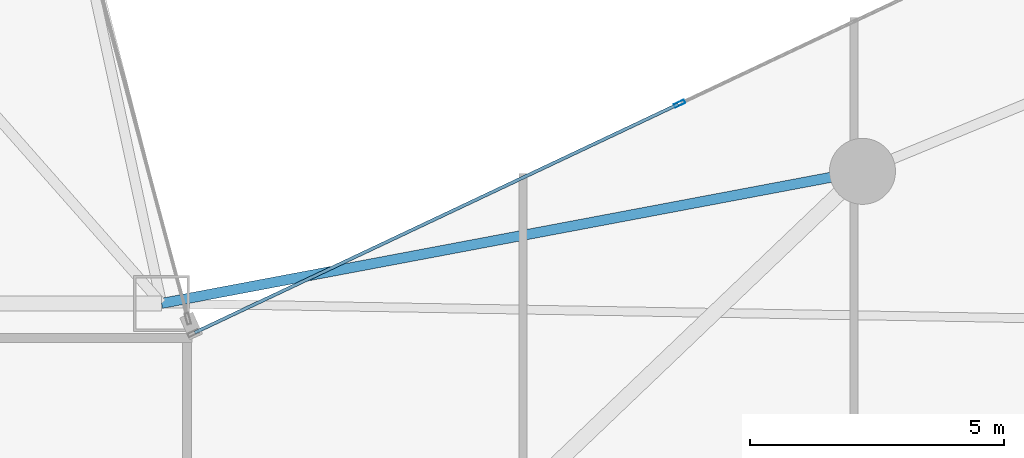
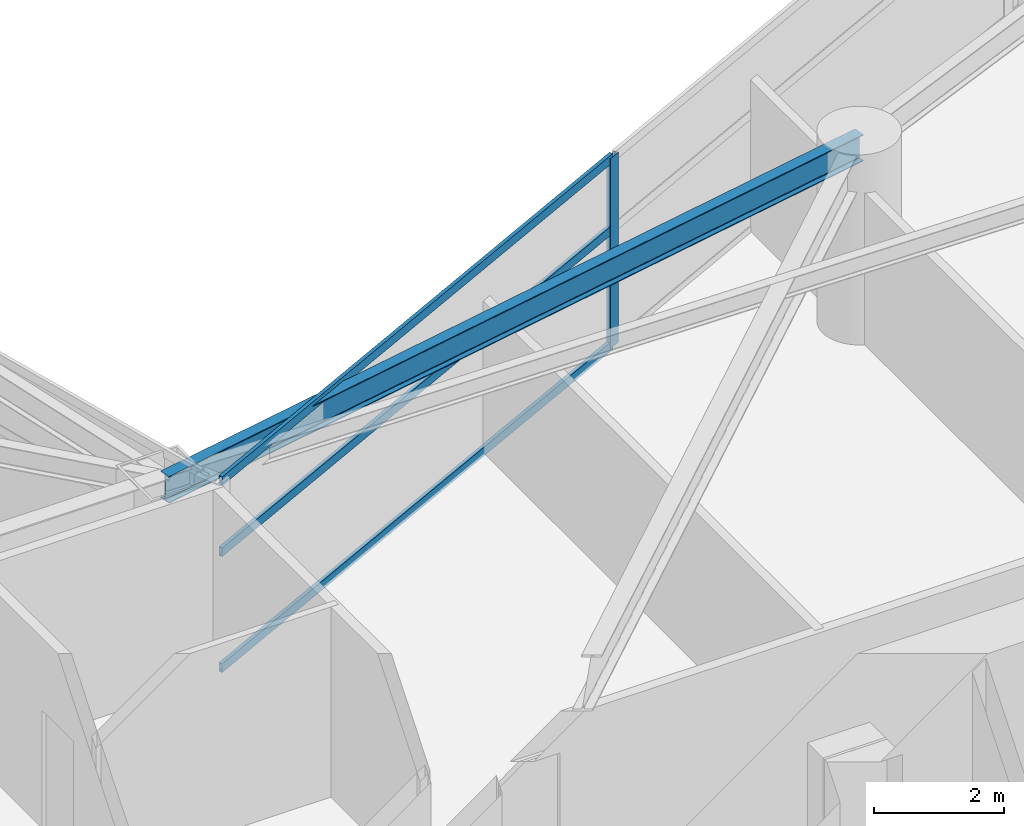
# One storey, part 11 of 30: 4 members, 1 beam, 1 element without a shape of its own.
"""IFC4 building model written with IfcOpenShell, lengths in metres."""

import ifcopenshell
import ifcopenshell.guid

model = None  # the IFC model being written
_history = None  # IfcOwnerHistory: only IFC2X3 demands one
_inside = {}  # id of a spatial element -> (the spatial element, [elements in it])
_under = {}  # id of a project, library or spatial element -> (it, [spatial elements below it])
_declared = {}  # id of a project -> (the project, [libraries it declares])
_typed = {}  # id of a type object -> (the type object, [elements of that type])
_made_of = {}  # id of a material, layer set ... -> (it, [elements and type objects made of it])


def new_model(schema):
    """Start an empty IFC model of exactly this schema.

    Asked for "IFC4X3", IfcOpenShell would pick the latest addendum, in which some entities
    have other attributes; the version numbers below select the first issue.
    IFC2X3 requires an IfcOwnerHistory on every rooted entity: one is made here for all.
    """
    global model, _history
    if schema == "IFC4X3":
        model = ifcopenshell.file(schema_version=(4, 3, 0, 0))
    else:
        model = ifcopenshell.file(schema=schema)
    _inside.clear()
    _under.clear()
    _declared.clear()
    _typed.clear()
    _made_of.clear()
    _history = None
    if model.schema == "IFC2X3":
        org = make("IfcOrganization", Name="unknown")
        user = make(
            "IfcPersonAndOrganization",
            ThePerson=make("IfcPerson", FamilyName="unknown"),
            TheOrganization=org,
        )
        app = make(
            "IfcApplication",
            ApplicationDeveloper=org,
            Version="unknown",
            ApplicationFullName="unknown",
            ApplicationIdentifier="unknown",
        )
        _history = make(
            "IfcOwnerHistory",
            OwningUser=user,
            OwningApplication=app,
            ChangeAction="ADDED",
            CreationDate=0,
        )
    return model


def make(cls, **values):
    """One entity of the class cls with the attributes given. An attribute that is None is left unset."""
    return model.create_entity(
        cls, **{name: value for name, value in values.items() if value is not None}
    )


def rooted(cls, **values):
    """An entity with a GlobalId (a new one), such as an element, a storey or a relation."""
    return make(cls, GlobalId=ifcopenshell.guid.new(), OwnerHistory=_history, **values)


def si_unit(unit_type, name, prefix=None):
    """IfcSIUnit, for example si_unit("LENGTHUNIT", "METRE", prefix="MILLI")."""
    return make("IfcSIUnit", UnitType=unit_type, Prefix=prefix, Name=name)


def assignment(units):
    """IfcUnitAssignment: the units of a project."""
    return None if units is None else make("IfcUnitAssignment", Units=units)


def point(xyz):
    """IfcCartesianPoint."""
    return None if xyz is None else make("IfcCartesianPoint", Coordinates=xyz)


def direction(xyz):
    """IfcDirection."""
    return None if xyz is None else make("IfcDirection", DirectionRatios=xyz)


def frame(location, z_axis=None, x_axis=None):
    """IfcAxis2Placement3D, a coordinate frame: its origin and axes. An axis left out is left unset."""
    return make(
        "IfcAxis2Placement3D",
        Location=point(location),
        Axis=direction(z_axis),
        RefDirection=direction(x_axis),
    )


def frame_2d(location, x_axis=None):
    """IfcAxis2Placement2D, a coordinate frame in the plane: its origin and x axis."""
    return make(
        "IfcAxis2Placement2D", Location=point(location), RefDirection=direction(x_axis)
    )


def origin():
    """The frame at (0, 0, 0) with its axes left unset."""
    return frame((0.0, 0.0, 0.0))


def origin_2d():
    """The frame at (0, 0) in the plane with its x axis left unset."""
    return frame_2d((0.0, 0.0))


def place(relative_to, where):
    """IfcLocalPlacement: puts the frame where relative to a parent placement (None: the world)."""
    return make(
        "IfcLocalPlacement", PlacementRelTo=relative_to, RelativePlacement=where
    )


def context(
    kind, dimensions, precision=None, world=None, true_north=None, identifier=None
):
    """IfcGeometricRepresentationContext, for example the 3D "Model" context."""
    return make(
        "IfcGeometricRepresentationContext",
        ContextIdentifier=identifier,
        ContextType=kind,
        CoordinateSpaceDimension=dimensions,
        Precision=precision,
        WorldCoordinateSystem=world,
        TrueNorth=true_north,
    )


def subcontext(parent, identifier, kind, view, scale=None):
    """IfcGeometricRepresentationSubContext, for example "Body" below "Model"."""
    return make(
        "IfcGeometricRepresentationSubContext",
        ContextIdentifier=identifier,
        ContextType=kind,
        ParentContext=parent,
        TargetScale=scale,
        TargetView=view,
    )


def project(units=None, contexts=None):
    """IfcProject with its units and contexts."""
    return rooted(
        "IfcProject",
        Name="project",
        RepresentationContexts=contexts,
        UnitsInContext=assignment(units),
    )


def spatial(cls, under=None, at=None, **own):
    """A site, building, storey or space (cls), placed at a placement, below another one or the project."""
    s = rooted(cls, ObjectPlacement=at, **own)
    if under is not None:
        _under.setdefault(under.id(), (under, []))[1].append(s)
    return s


def profile(cls, at=None, kind="AREA", **sizes):
    """A parametric profile (cls). Its sizes go by their IFC names, for example OverallWidth=200.0."""
    return make(cls, ProfileType=kind, Position=at, **sizes)


def hollow_rectangle(**sizes):
    """IfcRectangleHollowProfileDef."""
    return profile("IfcRectangleHollowProfileDef", **sizes)


def i_section(**sizes):
    """IfcIShapeProfileDef."""
    return profile("IfcIShapeProfileDef", **sizes)


def extrude(swept, where, along, depth):
    """IfcExtrudedAreaSolid: the profile swept, set in the frame where, extruded along a direction by depth."""
    return make(
        "IfcExtrudedAreaSolid",
        SweptArea=swept,
        Position=where,
        ExtrudedDirection=direction(along),
        Depth=depth,
    )


def shape(context_of_items, identifier, shape_type, items):
    """IfcShapeRepresentation: the items that make up one representation, for example the "Body"."""
    return make(
        "IfcShapeRepresentation",
        ContextOfItems=context_of_items,
        RepresentationIdentifier=identifier,
        RepresentationType=shape_type,
        Items=items,
    )


def material(Name=None, Category=None):
    """IfcMaterial."""
    return make("IfcMaterial", Name=Name, Category=Category)


def layer(
    of_material, thickness, ventilated=None, Name=None, Category=None, Priority=None
):
    """IfcMaterialLayer: one layer of a wall or slab, of a material (None: an air gap)."""
    return make(
        "IfcMaterialLayer",
        Material=of_material,
        LayerThickness=thickness,
        IsVentilated=ventilated,
        Name=Name,
        Category=Category,
        Priority=Priority,
    )


def layer_set(layers, Name=None):
    """IfcMaterialLayerSet."""
    return make("IfcMaterialLayerSet", MaterialLayers=layers, LayerSetName=Name)


def material_profile(
    of_material, cross_section, Name=None, Category=None, Priority=None
):
    """IfcMaterialProfile: a cross section and its material."""
    return make(
        "IfcMaterialProfile",
        Name=Name,
        Material=of_material,
        Profile=cross_section,
        Priority=Priority,
        Category=Category,
    )


def profile_set(profiles, Name=None, composite=None):
    """IfcMaterialProfileSet."""
    return make(
        "IfcMaterialProfileSet",
        Name=Name,
        MaterialProfiles=profiles,
        CompositeProfile=composite,
    )


def made_of(thing, what):
    """Note that an element or type object is made of a material, layer set ...; save() writes the relation."""
    if what is not None:
        _made_of.setdefault(what.id(), (what, []))[1].append(thing)
    return thing


def type_object(cls, material=None, **own):
    """A type object (cls), such as IfcWallType, which elements share."""
    return made_of(rooted(cls, **own), material)


def element(
    cls,
    number,
    at=None,
    inside=None,
    cuts=None,
    type_object=None,
    material=None,
    context=None,
    identifier="Body",
    shape_type=None,
    held_by="IfcProductDefinitionShape",
    body=None,
    shapes=None,
    **own,
):
    """One element of the class cls, such as IfcWall. Its Tag is "e" and its number.

    at: its placement. inside: the storey or other place that contains it. cuts: it is an
    opening in that element (IfcRelVoidsElement). A single representation is given by context,
    identifier, shape_type and body (its items); several are given by shapes. held_by: the class
    of the entity that holds the representations. save() writes the other relations.
    """
    e = rooted(cls, Tag="e%d" % number, ObjectPlacement=at, **own)
    if body is not None:
        shapes = [shape(context, identifier, shape_type, body)]
    if shapes is not None:
        e.Representation = make(held_by, Representations=shapes)
    if inside is not None:
        _inside.setdefault(inside.id(), (inside, []))[1].append(e)
    if cuts is not None:
        rooted(
            "IfcRelVoidsElement", RelatingBuildingElement=cuts, RelatedOpeningElement=e
        )
    if type_object is not None:
        _typed.setdefault(type_object.id(), (type_object, []))[1].append(e)
    return made_of(e, material)


def aggregate(whole, parts):
    """IfcRelAggregates: a whole, such as a stair, and the parts it consists of."""
    return rooted("IfcRelAggregates", RelatingObject=whole, RelatedObjects=parts)


def save(model, path):
    """Write the relations noted so far, then the file.

    IfcRelAggregates (storeys below a building ...), IfcRelContainedInSpatialStructure (elements
    in a storey), IfcRelDefinesByType, IfcRelAssociatesMaterial and IfcRelDeclares: one each for
    every whole, place, type object, material and project.
    """
    for whole, parts in _under.values():
        aggregate(whole, parts)
    for where, things in _inside.values():
        rooted(
            "IfcRelContainedInSpatialStructure",
            RelatedElements=things,
            RelatingStructure=where,
        )
    for kind, things in _typed.values():
        rooted("IfcRelDefinesByType", RelatedObjects=things, RelatingType=kind)
    for what, things in _made_of.values():
        rooted("IfcRelAssociatesMaterial", RelatedObjects=things, RelatingMaterial=what)
    for by, libraries in _declared.values():
        rooted("IfcRelDeclares", RelatingContext=by, RelatedDefinitions=libraries)
    model.write(path)


model = new_model("IFC4")

# Units and contexts
model_context = context("Model", 3, precision=1e-05, world=origin(), true_north=direction((0.0, 1.0)))
body_context = subcontext(model_context, "Body", "Model", "MODEL_VIEW")
ifc_project = project(units=[si_unit("LENGTHUNIT", "METRE"), si_unit("AREAUNIT", "SQUARE_METRE"), si_unit("VOLUMEUNIT", "CUBIC_METRE"), si_unit("PLANEANGLEUNIT", "RADIAN"), si_unit("MASSUNIT", "GRAM", prefix="KILO")], contexts=[model_context])

# Site, building, storey
site_placement = place(None, origin())
site = spatial("IfcSite", under=ifc_project, at=site_placement, CompositionType="ELEMENT")
building_placement = place(site_placement, origin())
building = spatial("IfcBuilding", under=site, at=building_placement, Name="Calvorn Quay Hotel", CompositionType="ELEMENT")
storey_placement = place(building_placement, frame((0.0, 0.0, 73.60009765625)))
storey = spatial("IfcBuildingStorey", under=building, at=storey_placement, Name="L17", CompositionType="ELEMENT", Elevation=73.60009765625)

# Beam
ifc_material_1 = material(Name="Steel Q355B", Category="steel")
ifc_material_profile_1 = material_profile(ifc_material_1, i_section(OverallWidth=0.199951171875, OverallDepth=0.5, WebThickness=0.010009765625, FlangeThickness=0.01611328125, FilletRadius=0.01611328125, at=origin_2d()), Name="HN500x200x10x16")
ifc_profile_set_1 = profile_set([ifc_material_profile_1], Name="Steel Q355B")
beam_type = type_object("IfcBeamType", Name="BM-SPANDREL-Z1", PredefinedType="SPANDREL", material=ifc_profile_set_1)
beam_placement = place(storey_placement, frame((34.800048828125, 27.60009765625, 3.289794921875), z_axis=(-0.982709432406, -0.185154452988, 0.0), x_axis=(0.185154452988, -0.982709432406, 0.0)))
element("IfcBeam", 1, at=beam_placement, inside=storey, type_object=beam_type, Name="Beam BSP-L17-E5", PredefinedType="SPANDREL", context=body_context, shape_type="SweptSolid", body=[
    extrude(i_section(OverallWidth=0.199951171875, OverallDepth=0.5, WebThickness=0.010009765625, FlangeThickness=0.01611328125, FilletRadius=0.01611328125, at=origin_2d()), origin(), (0.0, 0.0, 1.0), 14.04296875),
])

# Curtain wall, members
ifc_material_2 = material(Name="Pale Anodised Aluminium and Low-E Glass", Category="aluminium")
ifc_layer = layer(ifc_material_2, 0.219970703125)
ifc_layer_set = layer_set([ifc_layer], Name="CW-SYS-Z1")
curtain_wall_type = type_object("IfcCurtainWallType", Name="CW-SYS-Z1", PredefinedType="NOTDEFINED", material=ifc_layer_set)
curtain_wall_placement = place(storey_placement, origin())
curtain_wall = element("IfcCurtainWall", 2, at=curtain_wall_placement, inside=storey, type_object=curtain_wall_type, Name="Inner Court Curtain Wall L17-NE1", PredefinedType="NOTDEFINED")
ifc_material_3 = material(Name="Pale Anodised Aluminium 6063-T6", Category="aluminium")
ifc_material_profile_2 = material_profile(ifc_material_3, hollow_rectangle(XDim=0.074951171875, YDim=0.219970703125, WallThickness=0.00439453125, at=origin_2d()), Name="ALU-M220x75x4.5")
ifc_profile_set_2 = profile_set([ifc_material_profile_2], Name="Pale Anodised Aluminium 6063-T6")
member_type_1 = type_object("IfcMemberType", Name="CW-SYS-Z1-MUL", PredefinedType="MULLION", material=ifc_profile_set_2)
member_1_placement = place(storey_placement, frame((31.199951171875, 28.933349609375, 0.0), z_axis=(0.0, 0.0, 1.0), x_axis=(0.427006305415, -0.904248646743, 0.0)))
member_1 = element("IfcMember", 3, at=member_1_placement, type_object=member_type_1, Name="CW-L17-NE1 mullion 3", PredefinedType="MULLION", context=body_context, shape_type="SweptSolid", body=[
    extrude(hollow_rectangle(XDim=0.074951171875, YDim=0.219970703125, WallThickness=0.00439453125, at=origin_2d()), origin(), (0.0, 0.0, 1.0), 3.559814453125),
])
ifc_material_4 = material(Name="Pale Anodised Aluminium 6063-T6", Category="aluminium")
ifc_material_profile_3 = material_profile(ifc_material_4, hollow_rectangle(XDim=0.06494140625, YDim=0.1650390625, WallThickness=0.00341796875, at=origin_2d()), Name="ALU-T165x65x3.5")
ifc_profile_set_3 = profile_set([ifc_material_profile_3], Name="Pale Anodised Aluminium 6063-T6")
member_type_2 = type_object("IfcMemberType", Name="CW-SYS-Z1-TRN", PredefinedType="USERDEFINED", material=ifc_profile_set_3)
member_2_placement = place(storey_placement, frame((31.1728515625, 28.92041015625, 0.02978515625), z_axis=(-0.904248646746, -0.427006305408, 0.0), x_axis=(0.427006305408, -0.904248646746, 0.0)))
member_2 = element("IfcMember", 4, at=member_2_placement, type_object=member_type_2, Name="CW-L17-NE1 transom 3.1", ObjectType="TRANSOM", PredefinedType="USERDEFINED", context=body_context, shape_type="SweptSolid", body=[
    extrude(hollow_rectangle(XDim=0.06494140625, YDim=0.1650390625, WallThickness=0.00341796875, at=origin_2d()), origin(), (0.0, 0.0, 1.0), 10.5263671875),
])
member_3_placement = place(storey_placement, frame((31.1728515625, 28.92041015625, 2.199951171875), z_axis=(-0.904248646746, -0.427006305408, 0.0), x_axis=(0.427006305408, -0.904248646746, 0.0)))
member_3 = element("IfcMember", 5, at=member_3_placement, type_object=member_type_2, Name="CW-L17-NE1 transom 3.2", ObjectType="TRANSOM", PredefinedType="USERDEFINED", context=body_context, shape_type="SweptSolid", body=[
    extrude(hollow_rectangle(XDim=0.06494140625, YDim=0.1650390625, WallThickness=0.00341796875, at=origin_2d()), origin(), (0.0, 0.0, 1.0), 10.5263671875),
])
member_4_placement = place(storey_placement, frame((31.1728515625, 28.92041015625, 3.52978515625), z_axis=(-0.904248646746, -0.427006305408, 0.0), x_axis=(0.427006305408, -0.904248646746, 0.0)))
member_4 = element("IfcMember", 6, at=member_4_placement, type_object=member_type_2, Name="CW-L17-NE1 transom 3.3", ObjectType="TRANSOM", PredefinedType="USERDEFINED", context=body_context, shape_type="SweptSolid", body=[
    extrude(hollow_rectangle(XDim=0.06494140625, YDim=0.1650390625, WallThickness=0.00341796875, at=origin_2d()), origin(), (0.0, 0.0, 1.0), 10.5263671875),
])
aggregate(curtain_wall, [member_1, member_2, member_3, member_4])

save(model, "model.ifc")
